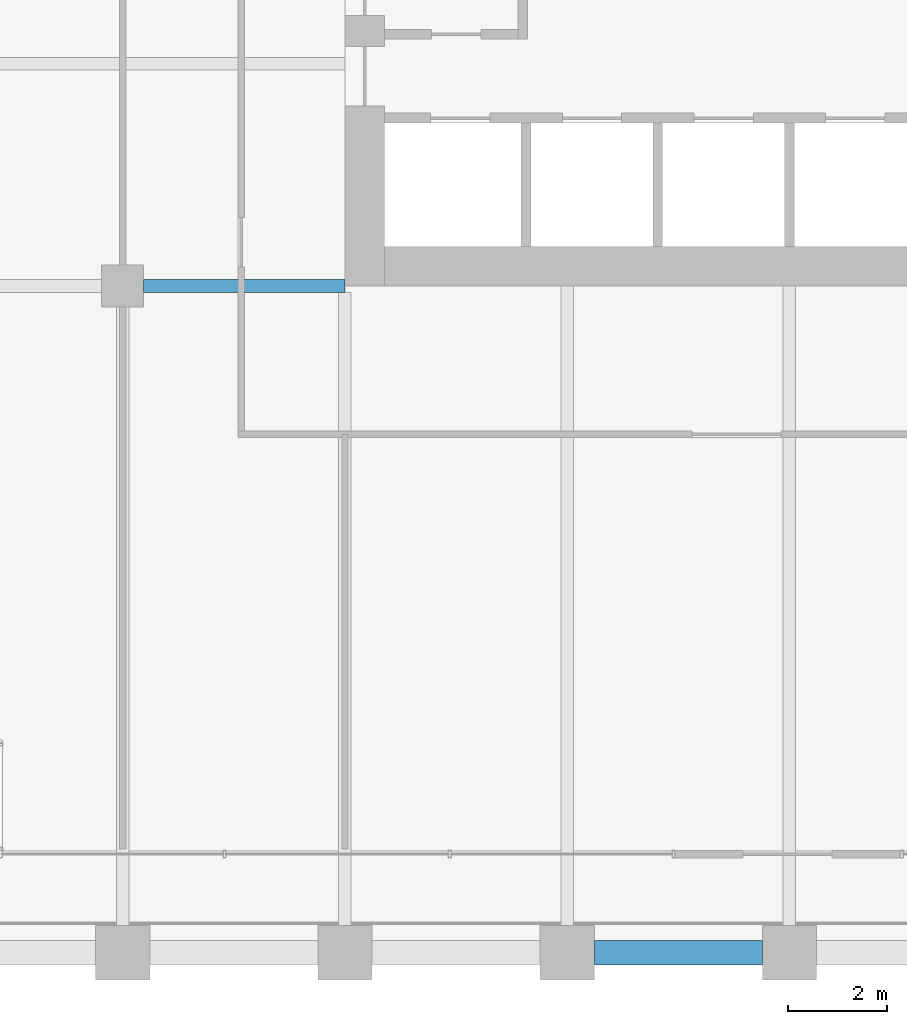
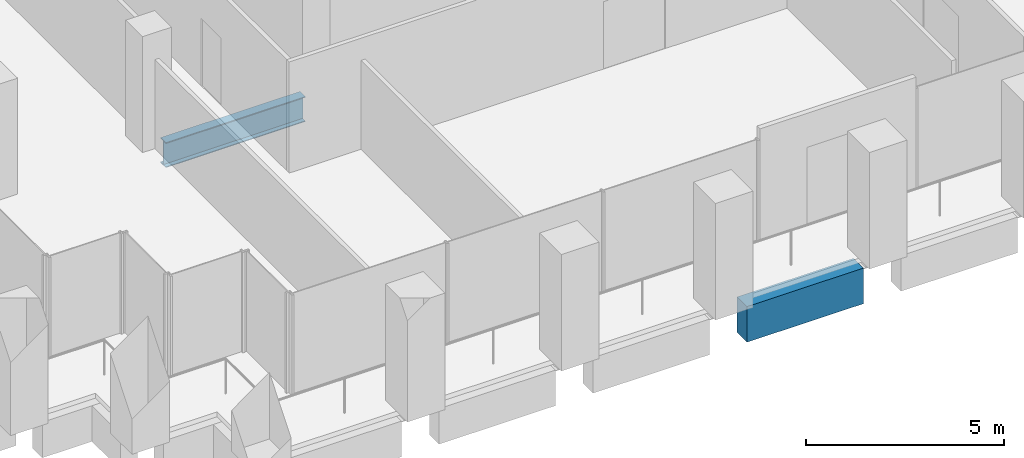
# One storey, part 6 of 54: 2 beams.
"""IFC4 building model written with IfcOpenShell, lengths in metres."""

from ifc_helpers import new_model, si_unit, direction, frame, origin, origin_2d, place, context, subcontext, project, spatial, rectangle, i_section, extrude, material, material_profile, profile_set, type_object, element, save


model = new_model("IFC4")

# Units and contexts
model_context = context("Model", 3, precision=1e-05, world=origin(), true_north=direction((0.0, 1.0)))
body_context = subcontext(model_context, "Body", "Model", "MODEL_VIEW")
ifc_project = project(units=[si_unit("LENGTHUNIT", "METRE"), si_unit("AREAUNIT", "SQUARE_METRE"), si_unit("VOLUMEUNIT", "CUBIC_METRE"), si_unit("PLANEANGLEUNIT", "RADIAN"), si_unit("MASSUNIT", "GRAM", prefix="KILO")], contexts=[model_context])

# Site, building, storey
site_placement = place(None, origin())
site = spatial("IfcSite", under=ifc_project, at=site_placement, CompositionType="ELEMENT")
building_placement = place(site_placement, origin())
building = spatial("IfcBuilding", under=site, at=building_placement, Name="Altepetl Exchange Towers", CompositionType="ELEMENT")
storey_placement = place(building_placement, frame((0.0, 0.0, 61.800048828125)))
storey = spatial("IfcBuildingStorey", under=building, at=storey_placement, Name="L14", CompositionType="ELEMENT", Elevation=61.800048828125)

# Beams
ifc_material_1 = material(Name="Steel S355", Category="steel")
ifc_material_profile_1 = material_profile(ifc_material_1, i_section(OverallWidth=0.26806640625, OverallDepth=0.77392578125, WebThickness=0.015380859375, FlangeThickness=0.025390625, at=origin_2d()), Name="W30X132")
ifc_profile_set_1 = profile_set([ifc_material_profile_1], Name="Steel S355")
beam_type_1 = type_object("IfcBeamType", Name="Girder W30X132", PredefinedType="BEAM", material=ifc_profile_set_1)
beam_1_placement = place(storey_placement, frame((40.5, 40.5, -0.537109375), z_axis=(-1.0, 0.0, 0.0), x_axis=(0.0, -1.0, 0.0)))
element("IfcBeam", 1, at=beam_1_placement, inside=storey, type_object=beam_type_1, Name="gd:A:L14:009", PredefinedType="BEAM", context=body_context, shape_type="SweptSolid", body=[
    extrude(i_section(OverallWidth=0.26806640625, OverallDepth=0.77392578125, WebThickness=0.015380859375, FlangeThickness=0.025390625, at=origin_2d()), origin(), (0.0, 0.0, 1.0), 4.074951171875),
])
ifc_material_2 = material(Name="Concrete C50/60 precast with cantera blanca facing", Category="concrete")
ifc_material_profile_2 = material_profile(ifc_material_2, rectangle(XDim=0.5, YDim=1.10009765625, at=origin_2d()), Name="500 x 1100")
ifc_profile_set_2 = profile_set([ifc_material_profile_2], Name="Concrete C50/60 precast with cantera blanca facing")
beam_type_2 = type_object("IfcBeamType", Name="Spandrel beam 500x1100 cantera blanca", PredefinedType="SPANDREL", material=ifc_profile_set_2)
beam_2_placement = place(storey_placement, frame((45.550048828125, 27.0, -0.699951171875), z_axis=(1.0, 0.0, 0.0), x_axis=(0.0, 1.0, 0.0)))
element("IfcBeam", 2, at=beam_2_placement, inside=storey, type_object=beam_type_2, Name="sp:A:L14:003", PredefinedType="SPANDREL", context=body_context, shape_type="SweptSolid", body=[
    extrude(rectangle(XDim=0.5, YDim=1.10009765625, at=origin_2d()), origin(), (0.0, 0.0, 1.0), 3.39990234375),
])

save(model, "model.ifc")
